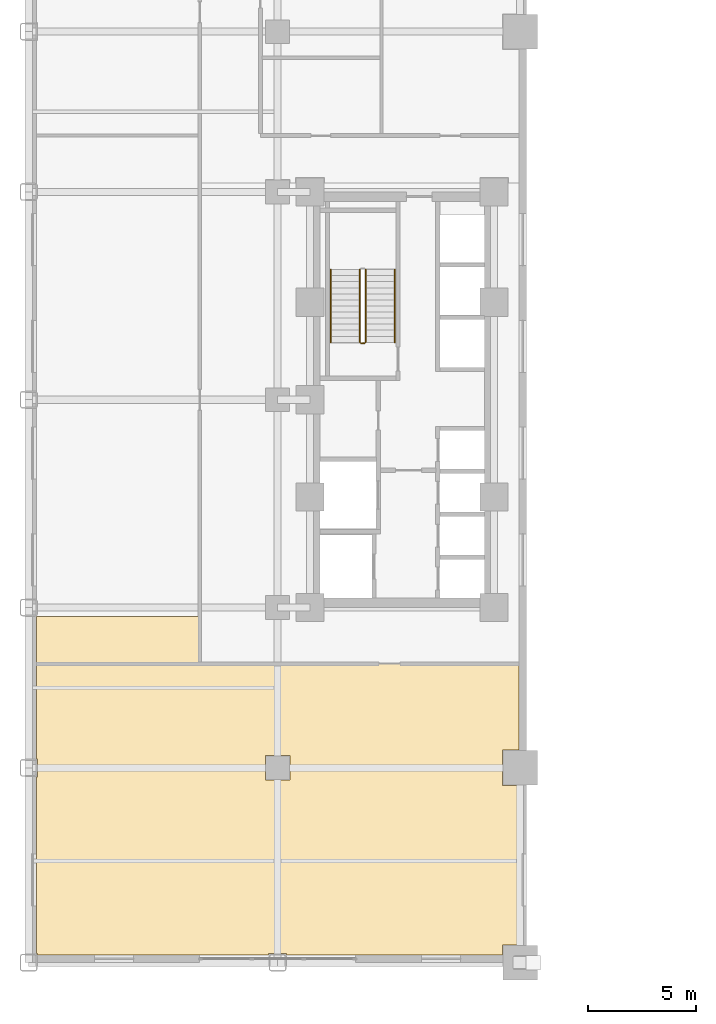
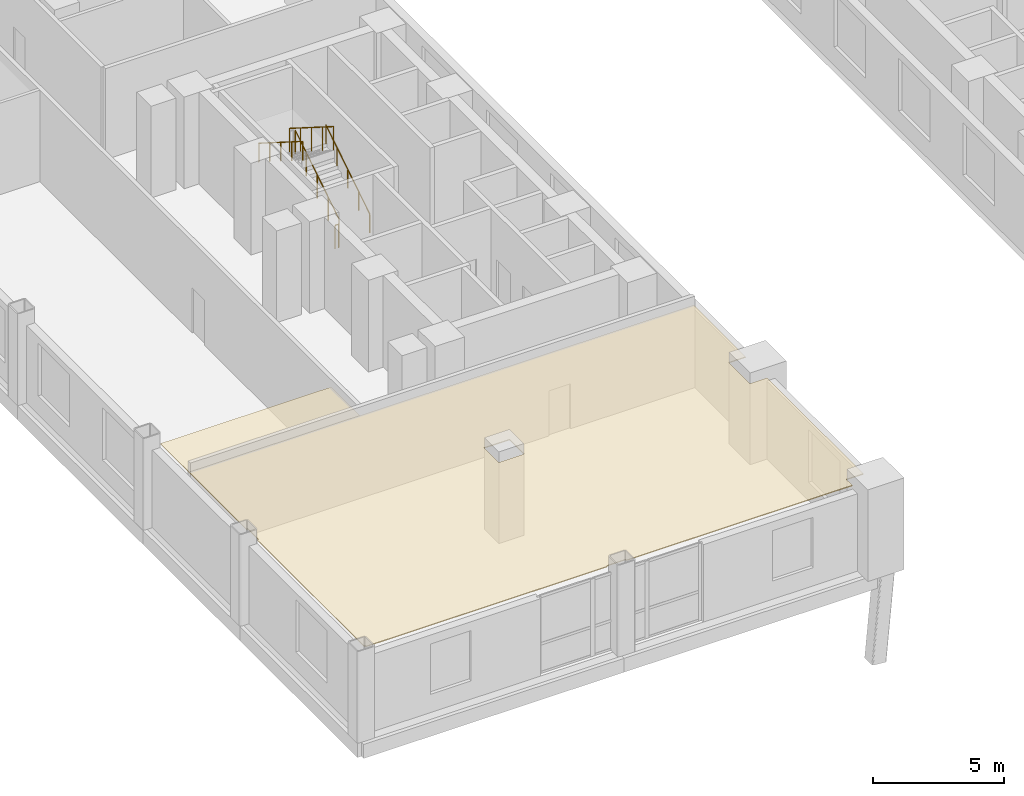
# One storey, part 12 of 15: 5 railings, 2 coverings.
"""IFC4 building model written with IfcOpenShell, lengths in metres."""

from ifc_helpers import new_model, si_unit, direction, frame, origin, origin_2d, place, context, subcontext, project, spatial, polyline, circle, outline, extrude, material, layer, layer_set, type_object, element, save


model = new_model("IFC4")

# Units and contexts
model_context = context("Model", 3, precision=1e-05, world=origin(), true_north=direction((0.0, 1.0)))
body_context = subcontext(model_context, "Body", "Model", "MODEL_VIEW")
ifc_project = project(units=[si_unit("LENGTHUNIT", "METRE"), si_unit("AREAUNIT", "SQUARE_METRE"), si_unit("VOLUMEUNIT", "CUBIC_METRE"), si_unit("PLANEANGLEUNIT", "RADIAN"), si_unit("MASSUNIT", "GRAM", prefix="KILO")], contexts=[model_context])

# Site, building, storey
site_placement = place(None, origin())
site = spatial("IfcSite", under=ifc_project, at=site_placement, CompositionType="ELEMENT")
building_placement = place(site_placement, origin())
building = spatial("IfcBuilding", under=site, at=building_placement, Name="Nuvemarco Arch Tower", CompositionType="ELEMENT")
storey_placement = place(building_placement, frame((0.0, 0.0, 4.60009765625)))
storey = spatial("IfcBuildingStorey", under=building, at=storey_placement, Name="L01", CompositionType="ELEMENT", Elevation=4.60009765625)

# Coverings
ifc_material_1 = material(Name="Mineral acoustic ceiling tile")
ifc_layer = layer(ifc_material_1, 0.0400390625, Name="COV-ACOUSTIC-CLG")
ifc_layer_set = layer_set([ifc_layer], Name="Mineral acoustic ceiling tile")
covering_type = type_object("IfcCoveringType", Name="COV-ACOUSTIC-CLG", PredefinedType="CEILING", material=ifc_layer_set)
covering_1_placement = place(storey_placement, frame((0.0, 0.0, 3.760009765625)))
element("IfcCovering", 1, at=covering_1_placement, inside=storey, type_object=covering_type, Name="L01 suspended acoustic ceiling 1", PredefinedType="CEILING", context=body_context, shape_type="SweptSolid", body=[
    extrude(outline(polyline([(-30.0849609375, -25.5849609375), (-30.139892578125, -25.5849609375), (-30.139892578125, -17.4150390625), (-30.0849609375, -17.4150390625), (-30.0849609375, -16.5849609375), (-30.139892578125, -16.5849609375), (-30.139892578125, -12.199951171875), (-22.60009765625, -12.199951171875), (-19.800048828125, -12.199951171875), (-7.860107421875, -12.199951171875), (-7.860107421875, -16.18505859375), (-8.614990234375, -16.18505859375), (-8.614990234375, -17.81494140625), (-7.860107421875, -17.81494140625), (-7.860107421875, -25.18505859375), (-8.614990234375, -25.18505859375), (-8.614990234375, -25.639892578125), (-18.5849609375, -25.639892578125), (-18.5849609375, -25.5849609375), (-19.4150390625, -25.5849609375), (-19.4150390625, -25.639892578125), (-30.0849609375, -25.639892578125), (-30.0849609375, -25.5849609375)]), holes=[polyline([(-18.43505859375, -16.43505859375), (-19.56494140625, -16.43505859375), (-19.56494140625, -17.56494140625), (-18.43505859375, -17.56494140625), (-18.43505859375, -16.43505859375)])]), origin(), (0.0, 0.0, 1.0), 0.039794921875),
])
covering_2_placement = place(storey_placement, frame((0.0, 0.0, 3.760009765625)))
element("IfcCovering", 2, at=covering_2_placement, inside=storey, type_object=covering_type, Name="L01 suspended acoustic ceiling 3", PredefinedType="CEILING", context=body_context, shape_type="SweptSolid", body=[
    extrude(outline(polyline([(-30.139892578125, -10.014892578125), (-30.0849609375, -10.014892578125), (-30.0849609375, -10.0), (-22.60009765625, -10.0), (-22.60009765625, -12.199951171875), (-30.139892578125, -12.199951171875), (-30.139892578125, -10.014892578125)])), origin(), (0.0, 0.0, 1.0), 0.039794921875),
])

# Railings
ifc_material_2 = material(Name="Brushed stainless steel handrail", Category="steel")
railing_type_1 = type_object("IfcRailingType", Name="RL-HANDRAIL-900", PredefinedType="HANDRAIL", material=ifc_material_2)
railing_1_placement = place(storey_placement, frame((-13.590087890625, 2.64990234375, 0.1767578125)))
element("IfcRailing", 3, at=railing_1_placement, inside=storey, type_object=railing_type_1, Name="L01 ST-1 stair handrail 1", PredefinedType="HANDRAIL", context=body_context, shape_type="SweptSolid", body=[
    extrude(circle(Radius=0.02392578125, at=origin_2d()), frame((0.0, 0.0, 0.8759765625), z_axis=(0.0, 0.845389635667, 0.534150132366), x_axis=(-1.0, 0.0, 0.0)), (0.0, 0.0, 1.0), 3.974609375),
    extrude(circle(Radius=0.02099609375, at=origin_2d()), origin(), (0.0, 0.0, 1.0), 0.851806640625),
    extrude(circle(Radius=0.02099609375, at=origin_2d()), frame((0.0, 0.840087890625, 0.53076171875)), (0.0, 0.0, 1.0), 0.851806640625),
    extrude(circle(Radius=0.02099609375, at=origin_2d()), frame((0.0, 1.68017578125, 1.0615234375)), (0.0, 0.0, 1.0), 0.851806640625),
    extrude(circle(Radius=0.02099609375, at=origin_2d()), frame((0.0, 2.52001953125, 1.59228515625)), (0.0, 0.0, 1.0), 0.851806640625),
    extrude(circle(Radius=0.02099609375, at=origin_2d()), frame((0.0, 3.360107421875, 2.123046875)), (0.0, 0.0, 1.0), 0.851806640625),
])
railing_2_placement = place(storey_placement, frame((-16.550048828125, 6.010009765625, 2.476806640625)))
element("IfcRailing", 4, at=railing_2_placement, inside=storey, type_object=railing_type_1, Name="L01 ST-1 stair handrail 2", PredefinedType="HANDRAIL", context=body_context, shape_type="SweptSolid", body=[
    extrude(circle(Radius=0.02392578125, at=origin_2d()), frame((0.0, 0.0, 0.8759765625), z_axis=(0.0, -0.845389635667, 0.534150132366), x_axis=(1.0, 0.0, 0.0)), (0.0, 0.0, 1.0), 3.974609375),
    extrude(circle(Radius=0.02099609375, at=origin_2d()), origin(), (0.0, 0.0, 1.0), 0.851806640625),
    extrude(circle(Radius=0.02099609375, at=origin_2d()), frame((0.0, -0.840087890625, 0.53076171875)), (0.0, 0.0, 1.0), 0.851806640625),
    extrude(circle(Radius=0.02099609375, at=origin_2d()), frame((0.0, -1.68017578125, 1.0615234375)), (0.0, 0.0, 1.0), 0.851806640625),
    extrude(circle(Radius=0.02099609375, at=origin_2d()), frame((0.0, -2.52001953125, 1.59228515625)), (0.0, 0.0, 1.0), 0.851806640625),
    extrude(circle(Radius=0.02099609375, at=origin_2d()), frame((0.0, -3.360107421875, 2.123046875)), (0.0, 0.0, 1.0), 0.851806640625),
])
ifc_material_3 = material(Name="Painted balustrade steel S355", Category="steel")
railing_type_2 = type_object("IfcRailingType", Name="RL-STAIR-GUARD", PredefinedType="GUARDRAIL", material=ifc_material_3)
railing_3_placement = place(storey_placement, frame((-14.93994140625, 2.64990234375, 0.1767578125)))
element("IfcRailing", 5, at=railing_3_placement, inside=storey, type_object=railing_type_2, Name="L01 ST-1 stair guard 1", PredefinedType="GUARDRAIL", context=body_context, shape_type="SweptSolid", body=[
    extrude(circle(Radius=0.02392578125, at=origin_2d()), frame((0.0, 0.0, 1.09619140625), z_axis=(0.0, 0.845389635667, 0.534150132366), x_axis=(-1.0, 0.0, 0.0)), (0.0, 0.0, 1.0), 3.974609375),
    extrude(circle(Radius=0.02099609375, at=origin_2d()), origin(), (0.0, 0.0, 1.0), 1.072021484375),
    extrude(circle(Radius=0.02099609375, at=origin_2d()), frame((0.0, 0.840087890625, 0.53076171875)), (0.0, 0.0, 1.0), 1.072021484375),
    extrude(circle(Radius=0.02099609375, at=origin_2d()), frame((0.0, 1.68017578125, 1.0615234375)), (0.0, 0.0, 1.0), 1.072021484375),
    extrude(circle(Radius=0.02099609375, at=origin_2d()), frame((0.0, 2.52001953125, 1.59228515625)), (0.0, 0.0, 1.0), 1.072021484375),
    extrude(circle(Radius=0.02099609375, at=origin_2d()), frame((0.0, 3.360107421875, 2.123046875)), (0.0, 0.0, 1.0), 1.072021484375),
])
railing_4_placement = place(storey_placement, frame((-15.199951171875, 6.010009765625, 2.476806640625)))
element("IfcRailing", 6, at=railing_4_placement, inside=storey, type_object=railing_type_2, Name="L01 ST-1 stair guard 3", PredefinedType="GUARDRAIL", context=body_context, shape_type="SweptSolid", body=[
    extrude(circle(Radius=0.02392578125, at=origin_2d()), frame((0.0, 0.0, 1.09619140625), z_axis=(0.0, -0.845389635667, 0.534150132366), x_axis=(1.0, 0.0, 0.0)), (0.0, 0.0, 1.0), 3.974609375),
    extrude(circle(Radius=0.02099609375, at=origin_2d()), origin(), (0.0, 0.0, 1.0), 1.072021484375),
    extrude(circle(Radius=0.02099609375, at=origin_2d()), frame((0.0, -0.840087890625, 0.53076171875)), (0.0, 0.0, 1.0), 1.072021484375),
    extrude(circle(Radius=0.02099609375, at=origin_2d()), frame((0.0, -1.68017578125, 1.0615234375)), (0.0, 0.0, 1.0), 1.072021484375),
    extrude(circle(Radius=0.02099609375, at=origin_2d()), frame((0.0, -2.52001953125, 1.59228515625)), (0.0, 0.0, 1.0), 1.072021484375),
    extrude(circle(Radius=0.02099609375, at=origin_2d()), frame((0.0, -3.360107421875, 2.123046875)), (0.0, 0.0, 1.0), 1.072021484375),
])
railing_5_placement = place(storey_placement, frame((-14.989990234375, 2.60009765625, 0.0)))
element("IfcRailing", 7, at=railing_5_placement, inside=storey, type_object=railing_type_2, Name="L01 ST-1 stair guard 4", PredefinedType="GUARDRAIL", context=body_context, shape_type="SweptSolid", body=[
    extrude(circle(Radius=0.02392578125, at=origin_2d()), frame((0.0, 0.0, 1.09619140625), z_axis=(-1.0, 0.0, 0.0), x_axis=(0.0, -1.0, 0.0)), (0.0, 0.0, 1.0), 0.159912109375),
    extrude(circle(Radius=0.02099609375, at=origin_2d()), origin(), (0.0, 0.0, 1.0), 1.072021484375),
    extrude(circle(Radius=0.02099609375, at=origin_2d()), frame((-0.159912109375, 0.0, 0.0)), (0.0, 0.0, 1.0), 1.072021484375),
])

save(model, "model.ifc")
